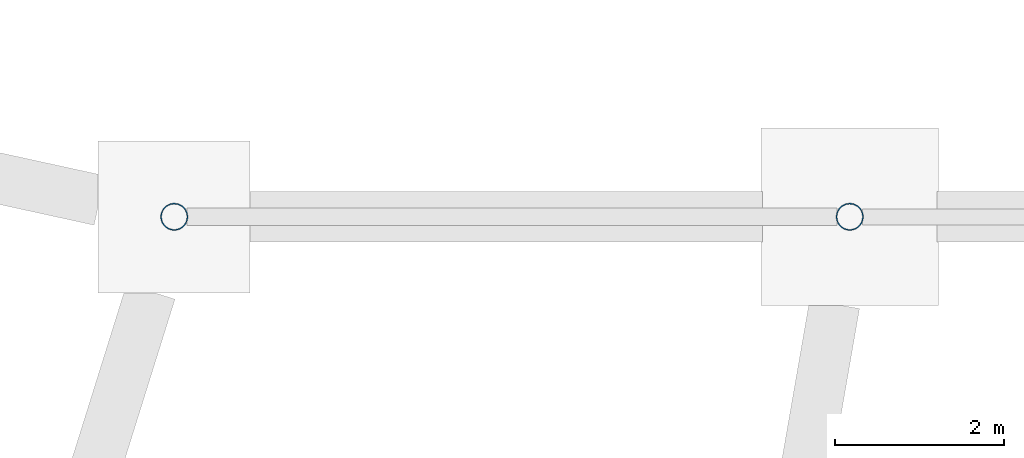
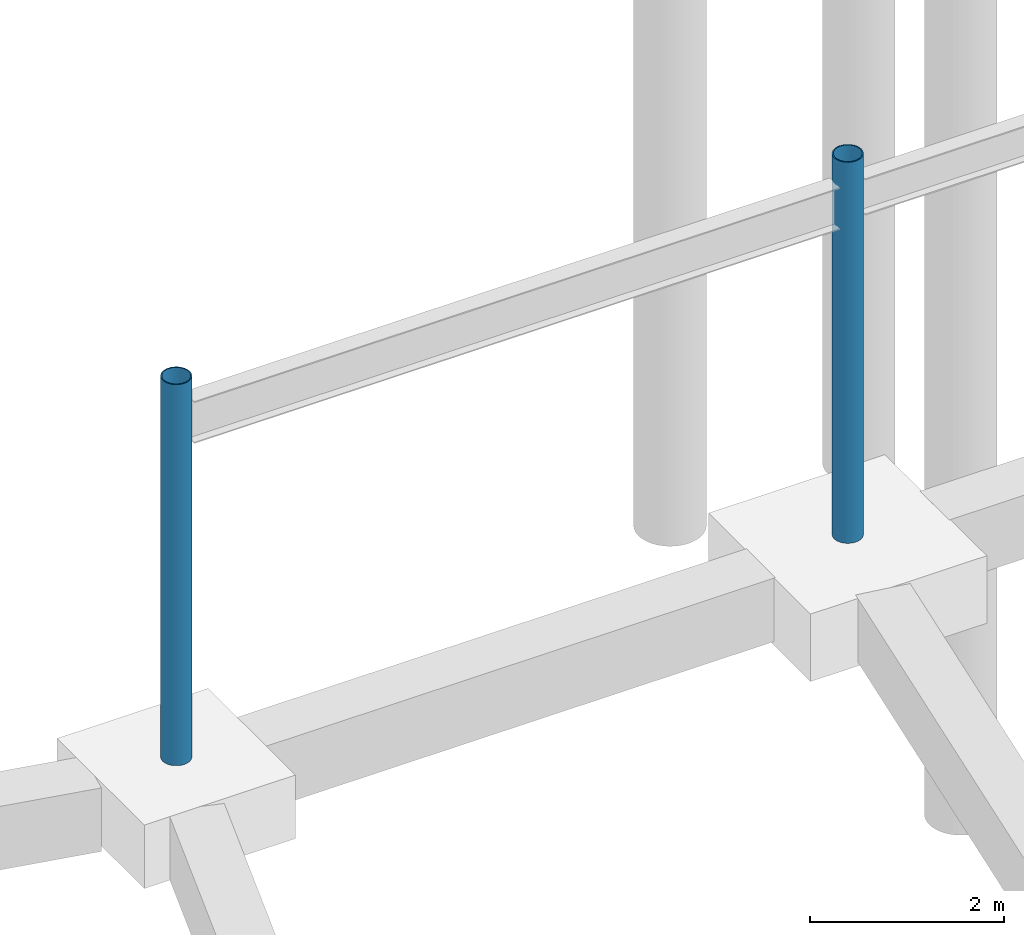
# One storey, part 9 of 68: 2 columns.
"""IFC4 building model written with IfcOpenShell, lengths in metres."""

from ifc_helpers import new_model, si_unit, direction, frame, origin, origin_2d, place, context, subcontext, project, spatial, hollow_circle, extrude, material, material_profile, profile_set, type_object, element, save


model = new_model("IFC4")

# Units and contexts
model_context = context("Model", 3, precision=1e-05, world=origin(), true_north=direction((0.0, 1.0)))
body_context = subcontext(model_context, "Body", "Model", "MODEL_VIEW")
ifc_project = project(units=[si_unit("LENGTHUNIT", "METRE"), si_unit("AREAUNIT", "SQUARE_METRE"), si_unit("VOLUMEUNIT", "CUBIC_METRE"), si_unit("PLANEANGLEUNIT", "RADIAN"), si_unit("MASSUNIT", "GRAM", prefix="KILO")], contexts=[model_context])

# Site, building, storey
site_placement = place(None, origin())
site = spatial("IfcSite", under=ifc_project, at=site_placement, CompositionType="ELEMENT")
building_placement = place(site_placement, origin())
building = spatial("IfcBuilding", under=site, at=building_placement, Name="Cinderbank Siding Concert Hall", CompositionType="ELEMENT")
storey_placement = place(building_placement, frame((0.0, 0.0, -4.800048828125)))
storey = spatial("IfcBuildingStorey", under=building, at=storey_placement, Name="B1", CompositionType="ELEMENT", Elevation=-4.800048828125)

# Columns
ifc_material = material(Name="Structural steel hollow section AS/NZS 1163 Grade C350L0 (350 MPa)", Category="steel")
ifc_material_profile = material_profile(ifc_material, hollow_circle(Radius=0.161865234375, WallThickness=0.0126953125, at=origin_2d()), Name="323.9x12.7CHS", Category="LoadBearing")
ifc_profile_set = profile_set([ifc_material_profile], Name="Structural steel hollow section AS/NZS 1163 Grade C350L0 (350 MPa)")
column_type = type_object("IfcColumnType", Name="C-CHS323 323.9x12.7CHS", PredefinedType="COLUMN", material=ifc_profile_set)
for number, where, z_axis, x_axis, name in (
    (1, (62.0, 32.0, 0.0), (0.0, 0.0, 1.0), (1.0, 0.0, 0.0), "B1 Column COL-PAD-01"),
    (2, (70.0, 32.0, 0.0), (0.0, 0.0, 1.0), (1.0, 0.0, 0.0), "B1 Column COL-PAD-02"),
):
    element("IfcColumn", number, at=place(storey_placement, frame(where, z_axis=z_axis, x_axis=x_axis)), inside=storey, type_object=column_type, Name=name, PredefinedType="COLUMN", context=body_context, shape_type="SweptSolid", body=[
        extrude(hollow_circle(Radius=0.161865234375, WallThickness=0.0126953125, at=origin_2d()), origin(), (0.0, 0.0, 1.0), 4.800048828125),
    ])

save(model, "model.ifc")
